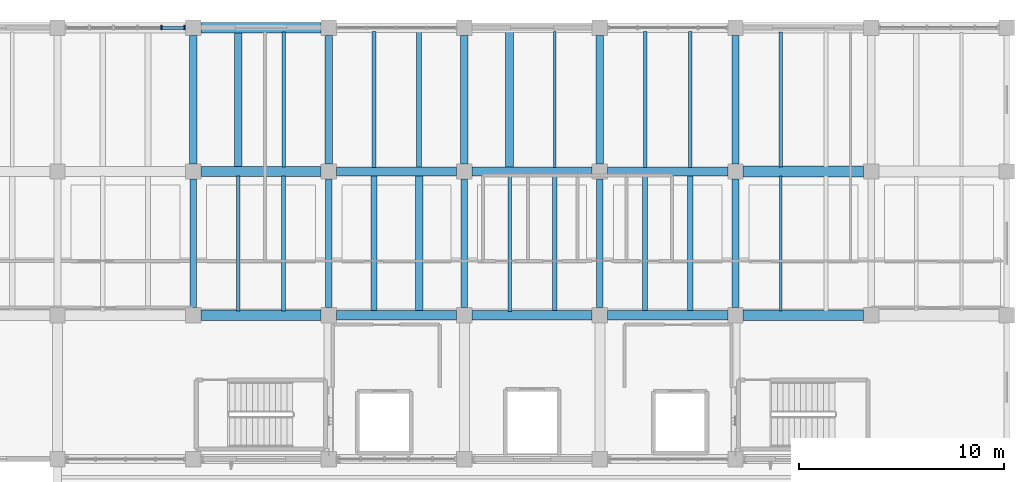
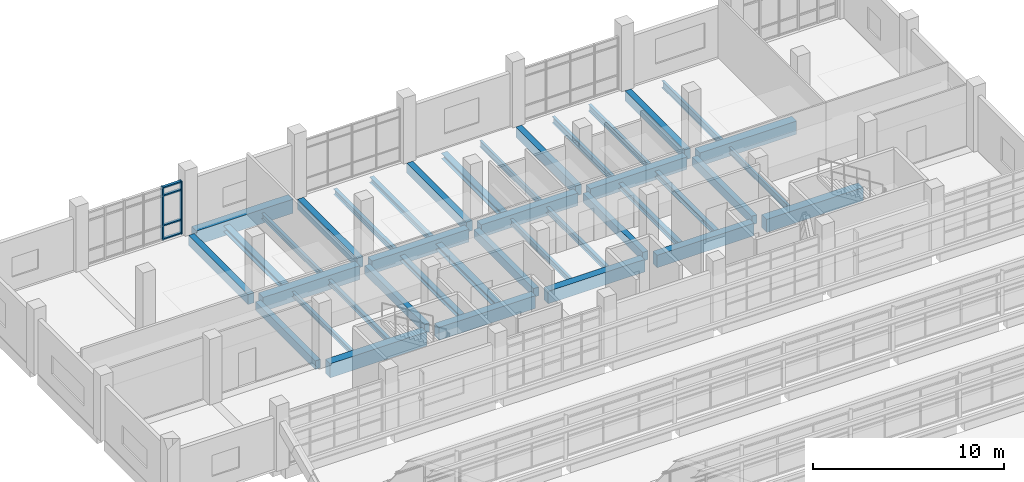
# One storey, part 59 of 92: 39 beams, 6 members, 1 element without a shape of its own.
"""IFC4 building model written with IfcOpenShell, lengths in metres."""

from ifc_helpers import new_model, si_unit, direction, frame, origin, origin_2d, place, context, subcontext, project, spatial, rectangle, i_section, extrude, material, material_profile, profile_set, type_object, element, aggregate, save


model = new_model("IFC4")

# Units and contexts
model_context = context("Model", 3, precision=1e-05, world=origin(), true_north=direction((0.0, 1.0)))
body_context = subcontext(model_context, "Body", "Model", "MODEL_VIEW")
ifc_project = project(units=[si_unit("LENGTHUNIT", "METRE"), si_unit("AREAUNIT", "SQUARE_METRE"), si_unit("VOLUMEUNIT", "CUBIC_METRE"), si_unit("PLANEANGLEUNIT", "RADIAN"), si_unit("MASSUNIT", "GRAM", prefix="KILO")], contexts=[model_context])

# Site, building, storey
site_placement = place(None, origin())
site = spatial("IfcSite", under=ifc_project, at=site_placement, CompositionType="ELEMENT")
building_placement = place(site_placement, origin())
building = spatial("IfcBuilding", under=site, at=building_placement, Name="Ciguamira Faculty of Natural Sciences", CompositionType="ELEMENT")
storey_placement = place(building_placement, frame((0.0, 0.0, 16.800048828125)))
storey = spatial("IfcBuildingStorey", under=building, at=storey_placement, Name="L04", CompositionType="ELEMENT", Elevation=16.800048828125)

# Curtain wall, members
ifc_material_1 = material(Name="Anodized aluminium curtain wall", Category="aluminium")
curtain_wall_type = type_object("IfcCurtainWallType", Name="CurtainWall_CW-06", PredefinedType="USERDEFINED", material=ifc_material_1)
curtain_wall_placement = place(storey_placement, origin())
curtain_wall = element("IfcCurtainWall", 1, at=curtain_wall_placement, inside=storey, type_object=curtain_wall_type, Name="L04 unitised curtain wall 0126", ObjectType="UNITISED CURTAIN WALL", PredefinedType="USERDEFINED")
ifc_material_2 = material(Name="Anodized aluminium mullion", Category="aluminium")
ifc_material_profile_1 = material_profile(ifc_material_2, rectangle(XDim=0.080078125, YDim=0.219970703125, at=origin_2d()), Name="ALU-MUL-80X220")
ifc_profile_set_1 = profile_set([ifc_material_profile_1], Name="Anodized aluminium mullion")
member_type_1 = type_object("IfcMemberType", Name="CWMullion_CWM-03", PredefinedType="MULLION", material=ifc_profile_set_1)
member_1_placement = place(storey_placement, frame((68.955078125, 115.0, 0.0), z_axis=(0.0, 0.0, 1.0), x_axis=(1.0, 0.0, 0.0)))
member_1 = element("IfcMember", 2, at=member_1_placement, type_object=member_type_1, Name="CW-06 mullion 5", PredefinedType="MULLION", context=body_context, shape_type="SweptSolid", body=[
    extrude(rectangle(XDim=0.080078125, YDim=0.219970703125, at=origin_2d()), origin(), (0.0, 0.0, 1.0), 3.364990234375),
])
member_2_placement = place(storey_placement, frame((70.0849609375, 115.0, 0.0), z_axis=(0.0, 0.0, 1.0), x_axis=(1.0, 0.0, 0.0)))
member_2 = element("IfcMember", 3, at=member_2_placement, type_object=member_type_1, Name="CW-06 mullion 6", PredefinedType="MULLION", context=body_context, shape_type="SweptSolid", body=[
    extrude(rectangle(XDim=0.080078125, YDim=0.219970703125, at=origin_2d()), origin(), (0.0, 0.0, 1.0), 3.364990234375),
])
ifc_material_3 = material(Name="Anodized aluminium transom", Category="aluminium")
ifc_material_profile_2 = material_profile(ifc_material_3, rectangle(XDim=0.080078125, YDim=0.159912109375, at=origin_2d()), Name="ALU-TRN-80X160")
ifc_profile_set_2 = profile_set([ifc_material_profile_2], Name="Anodized aluminium transom")
member_type_2 = type_object("IfcMemberType", Name="CWTransom_CWT-03", PredefinedType="USERDEFINED", material=ifc_profile_set_2)
member_3_placement = place(storey_placement, frame((68.9951171875, 115.0, 0.0400390625), z_axis=(1.0, 0.0, 0.0), x_axis=(0.0, 0.0, 1.0)))
member_3 = element("IfcMember", 4, at=member_3_placement, type_object=member_type_2, Name="CW-06 transom 5.1", ObjectType="TRANSOM", PredefinedType="USERDEFINED", context=body_context, shape_type="SweptSolid", body=[
    extrude(rectangle(XDim=0.080078125, YDim=0.159912109375, at=origin_2d()), origin(), (0.0, 0.0, 1.0), 1.0498046875),
])
member_4_placement = place(storey_placement, frame((68.9951171875, 115.0, 0.89990234375), z_axis=(1.0, 0.0, 0.0), x_axis=(0.0, 0.0, 1.0)))
member_4 = element("IfcMember", 5, at=member_4_placement, type_object=member_type_2, Name="CW-06 transom 5.2", ObjectType="TRANSOM", PredefinedType="USERDEFINED", context=body_context, shape_type="SweptSolid", body=[
    extrude(rectangle(XDim=0.080078125, YDim=0.159912109375, at=origin_2d()), origin(), (0.0, 0.0, 1.0), 1.0498046875),
])
member_5_placement = place(storey_placement, frame((68.9951171875, 115.0, 2.81494140625), z_axis=(1.0, 0.0, 0.0), x_axis=(0.0, 0.0, 1.0)))
member_5 = element("IfcMember", 6, at=member_5_placement, type_object=member_type_2, Name="CW-06 transom 5.3", ObjectType="TRANSOM", PredefinedType="USERDEFINED", context=body_context, shape_type="SweptSolid", body=[
    extrude(rectangle(XDim=0.080078125, YDim=0.159912109375, at=origin_2d()), origin(), (0.0, 0.0, 1.0), 1.0498046875),
])
member_6_placement = place(storey_placement, frame((68.9951171875, 115.0, 3.324951171875), z_axis=(1.0, 0.0, 0.0), x_axis=(0.0, 0.0, 1.0)))
member_6 = element("IfcMember", 7, at=member_6_placement, type_object=member_type_2, Name="CW-06 transom 5.4", ObjectType="TRANSOM", PredefinedType="USERDEFINED", context=body_context, shape_type="SweptSolid", body=[
    extrude(rectangle(XDim=0.080078125, YDim=0.159912109375, at=origin_2d()), origin(), (0.0, 0.0, 1.0), 1.0498046875),
])
aggregate(curtain_wall, [member_1, member_2, member_3, member_4, member_5, member_6])

# Beams
ifc_material_4 = material(Name="Concrete C40/50", Category="concrete")
ifc_material_profile_3 = material_profile(ifc_material_4, rectangle(XDim=0.5, YDim=0.89990234375, at=origin_2d()), Name="RC-BM-500X900")
ifc_profile_set_3 = profile_set([ifc_material_profile_3], Name="Concrete C40/50")
beam_type_1 = type_object("IfcBeamType", Name="RCBeam_BG-03_RC-BM-500X900", PredefinedType="BEAM", material=ifc_profile_set_3)
for number, where, z_axis, x_axis, name in (
    (8, (70.875, 101.0, -0.449951171875), (1.0, 0.0, 0.0), (0.0, 1.0, 0.0), "L04 RC girder EW-1364"),
    (9, (70.875, 108.0, -0.449951171875), (1.0, 0.0, 0.0), (0.0, 1.0, 0.0), "L04 RC girder EW-1372"),
    (10, (70.875, 115.0, -0.449951171875), (1.0, 0.0, 0.0), (0.0, 1.0, 0.0), "L04 RC girder EW-1380"),
):
    element("IfcBeam", number, at=place(storey_placement, frame(where, z_axis=z_axis, x_axis=x_axis)), inside=storey, type_object=beam_type_1, Name=name, PredefinedType="BEAM", context=body_context, shape_type="SweptSolid", body=[
        extrude(rectangle(XDim=0.5, YDim=0.89990234375, at=origin_2d()), origin(), (0.0, 0.0, 1.0), 5.85009765625),
    ])
ifc_material_profile_4 = material_profile(ifc_material_4, rectangle(XDim=0.4599609375, YDim=0.820068359375, at=origin_2d()), Name="RC-BM-460X820")
ifc_profile_set_4 = profile_set([ifc_material_profile_4], Name="Concrete C40/50")
beam_type_2 = type_object("IfcBeamType", Name="RCBeam_BG-04_RC-BM-460X820", PredefinedType="BEAM", material=ifc_profile_set_4)
for number, where, z_axis, x_axis, name in (
    (11, (77.47509765625, 101.0, -0.41015625), (1.0, 0.0, 0.0), (0.0, 1.0, 0.0), "L04 RC girder EW-1365"),
    (12, (77.47509765625, 108.0, -0.41015625), (1.0, 0.0, 0.0), (0.0, 1.0, 0.0), "L04 RC girder EW-1373"),
):
    element("IfcBeam", number, at=place(storey_placement, frame(where, z_axis=z_axis, x_axis=x_axis)), inside=storey, type_object=beam_type_2, Name=name, PredefinedType="BEAM", context=body_context, shape_type="SweptSolid", body=[
        extrude(rectangle(XDim=0.4599609375, YDim=0.820068359375, at=origin_2d()), origin(), (0.0, 0.0, 1.0), 5.849853515625),
    ])
ifc_material_profile_5 = material_profile(ifc_material_4, rectangle(XDim=0.449951171875, YDim=0.800048828125, at=origin_2d()), Name="RC-BM-450X800")
ifc_profile_set_5 = profile_set([ifc_material_profile_5], Name="Concrete C40/50")
beam_type_3 = type_object("IfcBeamType", Name="RCBeam_BG-05_RC-BM-450X800", PredefinedType="BEAM", material=ifc_profile_set_5)
beam_1_placement = place(storey_placement, frame((84.074951171875, 101.0, -0.400146484375), z_axis=(1.0, 0.0, 0.0), x_axis=(0.0, 1.0, 0.0)))
element("IfcBeam", 13, at=beam_1_placement, inside=storey, type_object=beam_type_3, Name="L04 RC girder EW-1366", PredefinedType="BEAM", context=body_context, shape_type="SweptSolid", body=[
    extrude(rectangle(XDim=0.449951171875, YDim=0.800048828125, at=origin_2d()), origin(), (0.0, 0.0, 1.0), 5.85009765625),
])
beam_2_placement = place(storey_placement, frame((90.675048828125, 101.0, -0.400146484375), z_axis=(1.0, 0.0, 0.0), x_axis=(0.0, 1.0, 0.0)))
element("IfcBeam", 14, at=beam_2_placement, inside=storey, type_object=beam_type_3, Name="L04 RC girder EW-1367", PredefinedType="BEAM", context=body_context, shape_type="SweptSolid", body=[
    extrude(rectangle(XDim=0.449951171875, YDim=0.800048828125, at=origin_2d()), origin(), (0.0, 0.0, 1.0), 5.849853515625),
])
beam_3_placement = place(storey_placement, frame((84.074951171875, 108.0, -0.400146484375), z_axis=(1.0, 0.0, 0.0), x_axis=(0.0, 1.0, 0.0)))
element("IfcBeam", 15, at=beam_3_placement, inside=storey, type_object=beam_type_3, Name="L04 RC girder EW-1374", PredefinedType="BEAM", context=body_context, shape_type="SweptSolid", body=[
    extrude(rectangle(XDim=0.449951171875, YDim=0.800048828125, at=origin_2d()), origin(), (0.0, 0.0, 1.0), 5.85009765625),
])
beam_4_placement = place(storey_placement, frame((90.675048828125, 108.0, -0.400146484375), z_axis=(1.0, 0.0, 0.0), x_axis=(0.0, 1.0, 0.0)))
element("IfcBeam", 16, at=beam_4_placement, inside=storey, type_object=beam_type_3, Name="L04 RC girder EW-1375", PredefinedType="BEAM", context=body_context, shape_type="SweptSolid", body=[
    extrude(rectangle(XDim=0.449951171875, YDim=0.800048828125, at=origin_2d()), origin(), (0.0, 0.0, 1.0), 5.849853515625),
])
ifc_material_profile_6 = material_profile(ifc_material_4, rectangle(XDim=0.360107421875, YDim=0.639892578125, at=origin_2d()), Name="RC-BM-360X640")
ifc_profile_set_6 = profile_set([ifc_material_profile_6], Name="Concrete C40/50")
beam_type_4 = type_object("IfcBeamType", Name="RCBeam_BG-10_RC-BM-360X640", PredefinedType="BEAM", material=ifc_profile_set_6)
for number, where, z_axis, x_axis, name in (
    (17, (70.5, 108.375, -0.320068359375), (0.0, 1.0, 0.0), (-1.0, 0.0, 0.0), "L04 girder NS-1404"),
    (18, (77.10009765625, 108.375, -0.320068359375), (0.0, 1.0, 0.0), (-1.0, 0.0, 0.0), "L04 girder NS-1408"),
    (19, (83.699951171875, 108.375, -0.320068359375), (0.0, 1.0, 0.0), (-1.0, 0.0, 0.0), "L04 girder NS-1413"),
    (20, (90.300048828125, 108.375, -0.320068359375), (0.0, 1.0, 0.0), (-1.0, 0.0, 0.0), "L04 girder NS-1418"),
    (21, (96.89990234375, 108.375, -0.320068359375), (0.0, 1.0, 0.0), (-1.0, 0.0, 0.0), "L04 girder NS-1422"),
):
    element("IfcBeam", number, at=place(storey_placement, frame(where, z_axis=z_axis, x_axis=x_axis)), inside=storey, type_object=beam_type_4, Name=name, PredefinedType="BEAM", context=body_context, shape_type="SweptSolid", body=[
        extrude(rectangle(XDim=0.360107421875, YDim=0.639892578125, at=origin_2d()), origin(), (0.0, 0.0, 1.0), 6.25),
    ])
ifc_material_profile_7 = material_profile(ifc_material_4, rectangle(XDim=0.320068359375, YDim=0.56005859375, at=origin_2d()), Name="RC-BM-320X560")
ifc_profile_set_7 = profile_set([ifc_material_profile_7], Name="Concrete C40/50")
beam_type_5 = type_object("IfcBeamType", Name="RCBeam_BG-12_RC-BM-320X560", PredefinedType="BEAM", material=ifc_profile_set_7)
for number, where, z_axis, x_axis, name in (
    (22, (70.5, 101.375, -0.280029296875), (0.0, 1.0, 0.0), (-1.0, 0.0, 0.0), "L04 girder NS-1403"),
    (23, (77.10009765625, 101.375, -0.280029296875), (0.0, 1.0, 0.0), (-1.0, 0.0, 0.0), "L04 girder NS-1407"),
    (24, (83.699951171875, 101.375, -0.280029296875), (0.0, 1.0, 0.0), (-1.0, 0.0, 0.0), "L04 girder NS-1412"),
    (25, (90.300048828125, 101.375, -0.280029296875), (0.0, 1.0, 0.0), (-1.0, 0.0, 0.0), "L04 girder NS-1417"),
    (26, (96.89990234375, 101.375, -0.280029296875), (0.0, 1.0, 0.0), (-1.0, 0.0, 0.0), "L04 girder NS-1421"),
):
    element("IfcBeam", number, at=place(storey_placement, frame(where, z_axis=z_axis, x_axis=x_axis)), inside=storey, type_object=beam_type_5, Name=name, PredefinedType="BEAM", context=body_context, shape_type="SweptSolid", body=[
        extrude(rectangle(XDim=0.320068359375, YDim=0.56005859375, at=origin_2d()), origin(), (0.0, 0.0, 1.0), 6.25),
    ])
ifc_material_profile_8 = material_profile(ifc_material_4, rectangle(XDim=0.52001953125, YDim=0.840087890625, at=origin_2d()), Name="RC-TB-520X840")
ifc_profile_set_8 = profile_set([ifc_material_profile_8], Name="Concrete C40/50")
beam_type_6 = type_object("IfcBeamType", Name="RCBeam_TB-02_RC-TB-520X840", PredefinedType="T_BEAM", material=ifc_profile_set_8)
for number, where, z_axis, x_axis, name in (
    (27, (97.27490234375, 101.0, -0.420166015625), (1.0, 0.0, 0.0), (0.0, 1.0, 0.0), "L04 RC girder EW-1368"),
    (28, (97.27490234375, 108.0, -0.420166015625), (1.0, 0.0, 0.0), (0.0, 1.0, 0.0), "L04 RC girder EW-1376"),
):
    element("IfcBeam", number, at=place(storey_placement, frame(where, z_axis=z_axis, x_axis=x_axis)), inside=storey, type_object=beam_type_6, Name=name, PredefinedType="T_BEAM", context=body_context, shape_type="SweptSolid", body=[
        extrude(rectangle(XDim=0.52001953125, YDim=0.840087890625, at=origin_2d()), origin(), (0.0, 0.0, 1.0), 5.85009765625),
    ])
ifc_material_5 = material(Name="Steel ASTM A992 Grade 50", Category="steel")
ifc_material_profile_9 = material_profile(ifc_material_5, i_section(OverallWidth=0.16650390625, OverallDepth=0.3173828125, WebThickness=0.007568359375, FlangeThickness=0.01318359375, at=origin_2d()), Name="W12X35")
ifc_profile_set_9 = profile_set([ifc_material_profile_9], Name="Steel ASTM A992 Grade 50")
beam_type_7 = type_object("IfcBeamType", Name="SteelJoist_SJ-05_W12X35", PredefinedType="JOIST", material=ifc_profile_set_9)
beam_5_placement = place(storey_placement, frame((72.699951171875, 101.2099609375, -0.39892578125), z_axis=(0.0, 1.0, 0.0), x_axis=(-1.0, 0.0, 0.0)))
element("IfcBeam", 29, at=beam_5_placement, inside=storey, type_object=beam_type_7, Name="L04 composite steel joist 01294", PredefinedType="JOIST", context=body_context, shape_type="SweptSolid", body=[
    extrude(i_section(OverallWidth=0.16650390625, OverallDepth=0.3173828125, WebThickness=0.007568359375, FlangeThickness=0.01318359375, at=origin_2d()), origin(), (0.0, 0.0, 1.0), 6.580078125),
])
ifc_material_profile_10 = material_profile(ifc_material_5, i_section(OverallWidth=0.20458984375, OverallDepth=0.307373046875, WebThickness=0.008544921875, FlangeThickness=0.0146484375, at=origin_2d()), Name="W12X45")
ifc_profile_set_10 = profile_set([ifc_material_profile_10], Name="Steel ASTM A992 Grade 50")
beam_type_8 = type_object("IfcBeamType", Name="SteelJoist_SJ-06_W12X45", PredefinedType="JOIST", material=ifc_profile_set_10)
beam_6_placement = place(storey_placement, frame((74.89990234375, 101.2099609375, -0.393798828125), z_axis=(0.0, 1.0, 0.0), x_axis=(-1.0, 0.0, 0.0)))
element("IfcBeam", 30, at=beam_6_placement, inside=storey, type_object=beam_type_8, Name="L04 composite steel joist 01295", PredefinedType="JOIST", context=body_context, shape_type="SweptSolid", body=[
    extrude(i_section(OverallWidth=0.20458984375, OverallDepth=0.307373046875, WebThickness=0.008544921875, FlangeThickness=0.0146484375, at=origin_2d()), origin(), (0.0, 0.0, 1.0), 6.580078125),
])
ifc_material_profile_11 = material_profile(ifc_material_5, i_section(OverallWidth=0.3046875, OverallDepth=0.307373046875, WebThickness=0.010009765625, FlangeThickness=0.015380859375, at=origin_2d()), Name="W12X65")
ifc_profile_set_11 = profile_set([ifc_material_profile_11], Name="Steel ASTM A992 Grade 50")
beam_type_9 = type_object("IfcBeamType", Name="SteelJoist_SJ-08_W12X65", PredefinedType="JOIST", material=ifc_profile_set_11)
beam_7_placement = place(storey_placement, frame((79.300048828125, 101.18994140625, -0.393798828125), z_axis=(0.0, 1.0, 0.0), x_axis=(-1.0, 0.0, 0.0)))
element("IfcBeam", 31, at=beam_7_placement, inside=storey, type_object=beam_type_9, Name="L04 composite steel joist 01300", PredefinedType="JOIST", context=body_context, shape_type="SweptSolid", body=[
    extrude(i_section(OverallWidth=0.3046875, OverallDepth=0.307373046875, WebThickness=0.010009765625, FlangeThickness=0.015380859375, at=origin_2d()), origin(), (0.0, 0.0, 1.0), 6.6201171875),
])
ifc_material_profile_12 = material_profile(ifc_material_5, i_section(OverallWidth=0.370849609375, OverallDepth=0.36328125, WebThickness=0.013427734375, FlangeThickness=0.021728515625, at=origin_2d()), Name="W14X109")
ifc_profile_set_12 = profile_set([ifc_material_profile_12], Name="Steel ASTM A992 Grade 50")
beam_type_10 = type_object("IfcBeamType", Name="SteelJoist_SJ-09_W14X109", PredefinedType="JOIST", material=ifc_profile_set_12)
beam_8_placement = place(storey_placement, frame((81.5, 101.18994140625, -0.421630859375), z_axis=(0.0, 1.0, 0.0), x_axis=(-1.0, 0.0, 0.0)))
element("IfcBeam", 32, at=beam_8_placement, inside=storey, type_object=beam_type_10, Name="L04 composite steel joist 01301", PredefinedType="JOIST", context=body_context, shape_type="SweptSolid", body=[
    extrude(i_section(OverallWidth=0.370849609375, OverallDepth=0.36328125, WebThickness=0.013427734375, FlangeThickness=0.021728515625, at=origin_2d()), origin(), (0.0, 0.0, 1.0), 6.6201171875),
])
ifc_material_profile_13 = material_profile(ifc_material_5, i_section(OverallWidth=0.373291015625, OverallDepth=0.373291015625, WebThickness=0.016357421875, FlangeThickness=0.026123046875, at=origin_2d()), Name="W14X132")
ifc_profile_set_13 = profile_set([ifc_material_profile_13], Name="Steel ASTM A992 Grade 50")
beam_type_11 = type_object("IfcBeamType", Name="SteelJoist_SJ-10_W14X132", PredefinedType="JOIST", material=ifc_profile_set_13)
beam_9_placement = place(storey_placement, frame((72.699951171875, 108.2099609375, -0.4267578125), z_axis=(0.0, 1.0, 0.0), x_axis=(-1.0, 0.0, 0.0)))
element("IfcBeam", 33, at=beam_9_placement, inside=storey, type_object=beam_type_11, Name="L04 composite steel joist 01296", PredefinedType="JOIST", context=body_context, shape_type="SweptSolid", body=[
    extrude(i_section(OverallWidth=0.373291015625, OverallDepth=0.373291015625, WebThickness=0.016357421875, FlangeThickness=0.026123046875, at=origin_2d()), origin(), (0.0, 0.0, 1.0), 6.580078125),
])
ifc_material_profile_14 = material_profile(ifc_material_5, i_section(OverallWidth=0.1708984375, OverallDepth=0.3505859375, WebThickness=0.0068359375, FlangeThickness=0.009765625, at=origin_2d()), Name="W14X30")
ifc_profile_set_14 = profile_set([ifc_material_profile_14], Name="Steel ASTM A992 Grade 50")
beam_type_12 = type_object("IfcBeamType", Name="SteelJoist_SJ-11_W14X30", PredefinedType="JOIST", material=ifc_profile_set_14)
beam_10_placement = place(storey_placement, frame((74.89990234375, 108.2099609375, -0.415283203125), z_axis=(0.0, 1.0, 0.0), x_axis=(-1.0, 0.0, 0.0)))
element("IfcBeam", 34, at=beam_10_placement, inside=storey, type_object=beam_type_12, Name="L04 composite steel joist 01297", PredefinedType="JOIST", context=body_context, shape_type="SweptSolid", body=[
    extrude(i_section(OverallWidth=0.1708984375, OverallDepth=0.3505859375, WebThickness=0.0068359375, FlangeThickness=0.009765625, at=origin_2d()), origin(), (0.0, 0.0, 1.0), 6.580078125),
])
beam_11_placement = place(storey_placement, frame((85.89990234375, 101.18505859375, -0.415283203125), z_axis=(0.0, 1.0, 0.0), x_axis=(-1.0, 0.0, 0.0)))
element("IfcBeam", 35, at=beam_11_placement, inside=storey, type_object=beam_type_12, Name="L04 composite steel joist 01306", PredefinedType="JOIST", context=body_context, shape_type="SweptSolid", body=[
    extrude(i_section(OverallWidth=0.1708984375, OverallDepth=0.3505859375, WebThickness=0.0068359375, FlangeThickness=0.009765625, at=origin_2d()), origin(), (0.0, 0.0, 1.0), 6.6298828125),
])
ifc_material_profile_15 = material_profile(ifc_material_5, i_section(OverallWidth=0.203125, OverallDepth=0.347900390625, WebThickness=0.0078125, FlangeThickness=0.013427734375, at=origin_2d()), Name="W14X43")
ifc_profile_set_15 = profile_set([ifc_material_profile_15], Name="Steel ASTM A992 Grade 50")
beam_type_13 = type_object("IfcBeamType", Name="SteelJoist_SJ-12_W14X43", PredefinedType="JOIST", material=ifc_profile_set_15)
beam_12_placement = place(storey_placement, frame((88.10009765625, 101.18505859375, -0.4140625), z_axis=(0.0, 1.0, 0.0), x_axis=(-1.0, 0.0, 0.0)))
element("IfcBeam", 36, at=beam_12_placement, inside=storey, type_object=beam_type_13, Name="L04 composite steel joist 01307", PredefinedType="JOIST", context=body_context, shape_type="SweptSolid", body=[
    extrude(i_section(OverallWidth=0.203125, OverallDepth=0.347900390625, WebThickness=0.0078125, FlangeThickness=0.013427734375, at=origin_2d()), origin(), (0.0, 0.0, 1.0), 6.6298828125),
])
ifc_material_profile_16 = material_profile(ifc_material_5, i_section(OverallWidth=0.204833984375, OverallDepth=0.35302734375, WebThickness=0.00927734375, FlangeThickness=0.016845703125, at=origin_2d()), Name="W14X53")
ifc_profile_set_16 = profile_set([ifc_material_profile_16], Name="Steel ASTM A992 Grade 50")
beam_type_14 = type_object("IfcBeamType", Name="SteelJoist_SJ-13_W14X53", PredefinedType="JOIST", material=ifc_profile_set_16)
beam_13_placement = place(storey_placement, frame((79.300048828125, 108.18994140625, -0.41650390625), z_axis=(0.0, 1.0, 0.0), x_axis=(-1.0, 0.0, 0.0)))
element("IfcBeam", 37, at=beam_13_placement, inside=storey, type_object=beam_type_14, Name="L04 composite steel joist 01302", PredefinedType="JOIST", context=body_context, shape_type="SweptSolid", body=[
    extrude(i_section(OverallWidth=0.204833984375, OverallDepth=0.35302734375, WebThickness=0.00927734375, FlangeThickness=0.016845703125, at=origin_2d()), origin(), (0.0, 0.0, 1.0), 6.6201171875),
])
ifc_material_profile_17 = material_profile(ifc_material_5, i_section(OverallWidth=0.25390625, OverallDepth=0.355712890625, WebThickness=0.010498046875, FlangeThickness=0.018310546875, at=origin_2d()), Name="W14X68")
ifc_profile_set_17 = profile_set([ifc_material_profile_17], Name="Steel ASTM A992 Grade 50")
beam_type_15 = type_object("IfcBeamType", Name="SteelJoist_SJ-14_W14X68", PredefinedType="JOIST", material=ifc_profile_set_17)
beam_14_placement = place(storey_placement, frame((81.5, 108.18994140625, -0.41796875), z_axis=(0.0, 1.0, 0.0), x_axis=(-1.0, 0.0, 0.0)))
element("IfcBeam", 38, at=beam_14_placement, inside=storey, type_object=beam_type_15, Name="L04 composite steel joist 01303", PredefinedType="JOIST", context=body_context, shape_type="SweptSolid", body=[
    extrude(i_section(OverallWidth=0.25390625, OverallDepth=0.355712890625, WebThickness=0.010498046875, FlangeThickness=0.018310546875, at=origin_2d()), origin(), (0.0, 0.0, 1.0), 6.6201171875),
])
beam_15_placement = place(storey_placement, frame((92.5, 101.18505859375, -0.41796875), z_axis=(0.0, 1.0, 0.0), x_axis=(-1.0, 0.0, 0.0)))
element("IfcBeam", 39, at=beam_15_placement, inside=storey, type_object=beam_type_15, Name="L04 composite steel joist 01312", PredefinedType="JOIST", context=body_context, shape_type="SweptSolid", body=[
    extrude(i_section(OverallWidth=0.25390625, OverallDepth=0.355712890625, WebThickness=0.010498046875, FlangeThickness=0.018310546875, at=origin_2d()), origin(), (0.0, 0.0, 1.0), 6.6298828125),
])
ifc_material_profile_18 = material_profile(ifc_material_5, i_section(OverallWidth=0.256591796875, OverallDepth=0.36328125, WebThickness=0.012939453125, FlangeThickness=0.021728515625, at=origin_2d()), Name="W14X82")
ifc_profile_set_18 = profile_set([ifc_material_profile_18], Name="Steel ASTM A992 Grade 50")
beam_type_16 = type_object("IfcBeamType", Name="SteelJoist_SJ-15_W14X82", PredefinedType="JOIST", material=ifc_profile_set_18)
beam_16_placement = place(storey_placement, frame((94.699951171875, 101.18505859375, -0.421630859375), z_axis=(0.0, 1.0, 0.0), x_axis=(-1.0, 0.0, 0.0)))
element("IfcBeam", 40, at=beam_16_placement, inside=storey, type_object=beam_type_16, Name="L04 composite steel joist 01313", PredefinedType="JOIST", context=body_context, shape_type="SweptSolid", body=[
    extrude(i_section(OverallWidth=0.256591796875, OverallDepth=0.36328125, WebThickness=0.012939453125, FlangeThickness=0.021728515625, at=origin_2d()), origin(), (0.0, 0.0, 1.0), 6.6298828125),
])
ifc_material_profile_19 = material_profile(ifc_material_5, i_section(OverallWidth=0.368408203125, OverallDepth=0.355712890625, WebThickness=0.01123046875, FlangeThickness=0.01806640625, at=origin_2d()), Name="W14X90")
ifc_profile_set_19 = profile_set([ifc_material_profile_19], Name="Steel ASTM A992 Grade 50")
beam_type_17 = type_object("IfcBeamType", Name="SteelJoist_SJ-16_W14X90", PredefinedType="JOIST", material=ifc_profile_set_19)
beam_17_placement = place(storey_placement, frame((85.89990234375, 108.18505859375, -0.41796875), z_axis=(0.0, 1.0, 0.0), x_axis=(-1.0, 0.0, 0.0)))
element("IfcBeam", 41, at=beam_17_placement, inside=storey, type_object=beam_type_17, Name="L04 composite steel joist 01308", PredefinedType="JOIST", context=body_context, shape_type="SweptSolid", body=[
    extrude(i_section(OverallWidth=0.368408203125, OverallDepth=0.355712890625, WebThickness=0.01123046875, FlangeThickness=0.01806640625, at=origin_2d()), origin(), (0.0, 0.0, 1.0), 6.6298828125),
])
ifc_material_profile_20 = material_profile(ifc_material_5, i_section(OverallWidth=0.140380859375, OverallDepth=0.40380859375, WebThickness=0.007080078125, FlangeThickness=0.01123046875, at=origin_2d()), Name="W16X31")
ifc_profile_set_20 = profile_set([ifc_material_profile_20], Name="Steel ASTM A992 Grade 50")
beam_type_18 = type_object("IfcBeamType", Name="SteelJoist_SJ-17_W16X31", PredefinedType="JOIST", material=ifc_profile_set_20)
beam_18_placement = place(storey_placement, frame((88.10009765625, 108.18505859375, -0.44189453125), z_axis=(0.0, 1.0, 0.0), x_axis=(-1.0, 0.0, 0.0)))
element("IfcBeam", 42, at=beam_18_placement, inside=storey, type_object=beam_type_18, Name="L04 composite steel joist 01309", PredefinedType="JOIST", context=body_context, shape_type="SweptSolid", body=[
    extrude(i_section(OverallWidth=0.140380859375, OverallDepth=0.40380859375, WebThickness=0.007080078125, FlangeThickness=0.01123046875, at=origin_2d()), origin(), (0.0, 0.0, 1.0), 6.6298828125),
])
beam_19_placement = place(storey_placement, frame((99.10009765625, 101.219970703125, -0.44189453125), z_axis=(0.0, 1.0, 0.0), x_axis=(-1.0, 0.0, 0.0)))
element("IfcBeam", 43, at=beam_19_placement, inside=storey, type_object=beam_type_18, Name="L04 composite steel joist 01318", PredefinedType="JOIST", context=body_context, shape_type="SweptSolid", body=[
    extrude(i_section(OverallWidth=0.140380859375, OverallDepth=0.40380859375, WebThickness=0.007080078125, FlangeThickness=0.01123046875, at=origin_2d()), origin(), (0.0, 0.0, 1.0), 6.56005859375),
])
ifc_material_profile_21 = material_profile(ifc_material_5, i_section(OverallWidth=0.1787109375, OverallDepth=0.408935546875, WebThickness=0.0087890625, FlangeThickness=0.014404296875, at=origin_2d()), Name="W16X45")
ifc_profile_set_21 = profile_set([ifc_material_profile_21], Name="Steel ASTM A992 Grade 50")
beam_type_19 = type_object("IfcBeamType", Name="SteelJoist_SJ-19_W16X45", PredefinedType="JOIST", material=ifc_profile_set_21)
beam_20_placement = place(storey_placement, frame((92.5, 108.18505859375, -0.444580078125), z_axis=(0.0, 1.0, 0.0), x_axis=(-1.0, 0.0, 0.0)))
element("IfcBeam", 44, at=beam_20_placement, inside=storey, type_object=beam_type_19, Name="L04 composite steel joist 01314", PredefinedType="JOIST", context=body_context, shape_type="SweptSolid", body=[
    extrude(i_section(OverallWidth=0.1787109375, OverallDepth=0.408935546875, WebThickness=0.0087890625, FlangeThickness=0.014404296875, at=origin_2d()), origin(), (0.0, 0.0, 1.0), 6.6298828125),
])
ifc_material_profile_22 = material_profile(ifc_material_5, i_section(OverallWidth=0.180908203125, OverallDepth=0.41650390625, WebThickness=0.010986328125, FlangeThickness=0.01806640625, at=origin_2d()), Name="W16X57")
ifc_profile_set_22 = profile_set([ifc_material_profile_22], Name="Steel ASTM A992 Grade 50")
beam_type_20 = type_object("IfcBeamType", Name="SteelJoist_SJ-20_W16X57", PredefinedType="JOIST", material=ifc_profile_set_22)
beam_21_placement = place(storey_placement, frame((94.699951171875, 108.18505859375, -0.4482421875), z_axis=(0.0, 1.0, 0.0), x_axis=(-1.0, 0.0, 0.0)))
element("IfcBeam", 45, at=beam_21_placement, inside=storey, type_object=beam_type_20, Name="L04 composite steel joist 01315", PredefinedType="JOIST", context=body_context, shape_type="SweptSolid", body=[
    extrude(i_section(OverallWidth=0.180908203125, OverallDepth=0.41650390625, WebThickness=0.010986328125, FlangeThickness=0.01806640625, at=origin_2d()), origin(), (0.0, 0.0, 1.0), 6.6298828125),
])
ifc_material_profile_23 = material_profile(ifc_material_5, i_section(OverallWidth=0.15283203125, OverallDepth=0.45458984375, WebThickness=0.008056640625, FlangeThickness=0.013427734375, at=origin_2d()), Name="W18X40")
ifc_profile_set_23 = profile_set([ifc_material_profile_23], Name="Steel ASTM A992 Grade 50")
beam_type_21 = type_object("IfcBeamType", Name="SteelJoist_SJ-22_W18X40", PredefinedType="JOIST", material=ifc_profile_set_23)
beam_22_placement = place(storey_placement, frame((99.10009765625, 108.219970703125, -0.46728515625), z_axis=(0.0, 1.0, 0.0), x_axis=(-1.0, 0.0, 0.0)))
element("IfcBeam", 46, at=beam_22_placement, inside=storey, type_object=beam_type_21, Name="L04 composite steel joist 01320", PredefinedType="JOIST", context=body_context, shape_type="SweptSolid", body=[
    extrude(i_section(OverallWidth=0.15283203125, OverallDepth=0.45458984375, WebThickness=0.008056640625, FlangeThickness=0.013427734375, at=origin_2d()), origin(), (0.0, 0.0, 1.0), 6.56005859375),
])

save(model, "model.ifc")
